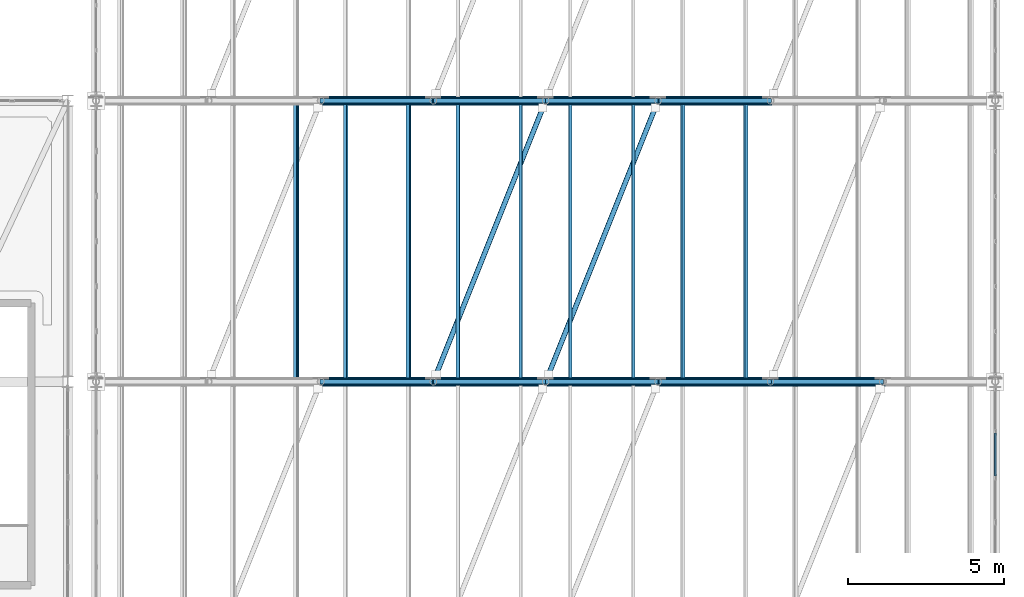
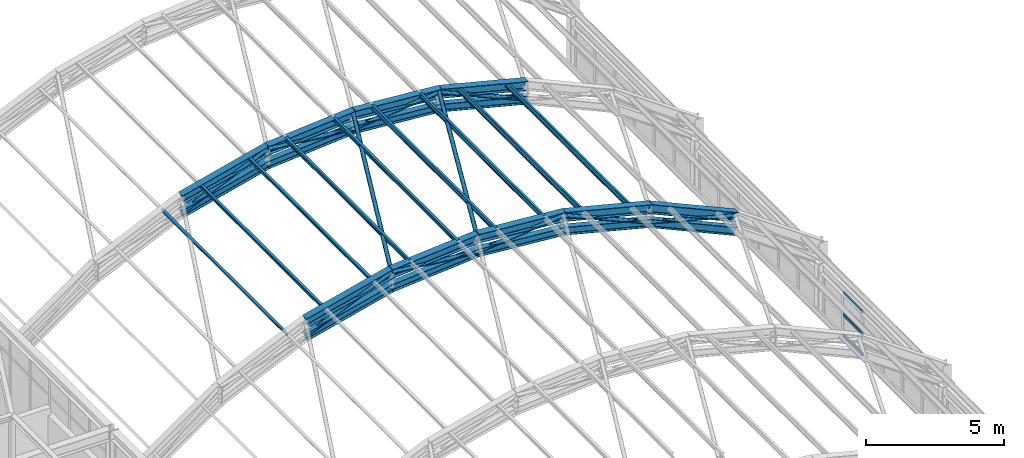
# One storey, part 76 of 121: 32 members, 9 beams, 1 element without a shape of its own.
"""IFC4 building model written with IfcOpenShell, lengths in metres."""

from ifc_helpers import new_model, si_unit, direction, frame, origin, origin_2d, place, context, subcontext, project, spatial, hollow_rectangle, hollow_circle, i_section, extrude, material, material_profile, profile_set, type_object, element, aggregate, save


model = new_model("IFC4")

# Units and contexts
model_context = context("Model", 3, precision=1e-05, world=origin(), true_north=direction((0.0, 1.0)))
body_context = subcontext(model_context, "Body", "Model", "MODEL_VIEW")
ifc_project = project(units=[si_unit("LENGTHUNIT", "METRE"), si_unit("AREAUNIT", "SQUARE_METRE"), si_unit("VOLUMEUNIT", "CUBIC_METRE"), si_unit("PLANEANGLEUNIT", "RADIAN"), si_unit("MASSUNIT", "GRAM", prefix="KILO")], contexts=[model_context])

# Site, building, storey
site_placement = place(None, origin())
site = spatial("IfcSite", under=ifc_project, at=site_placement, CompositionType="ELEMENT")
building_placement = place(site_placement, origin())
building = spatial("IfcBuilding", under=site, at=building_placement, Name="Canglan Escarpment Cableway Terminal", CompositionType="ELEMENT")
storey_placement = place(building_placement, frame((0.0, 0.0, 24.60009765625)))
storey = spatial("IfcBuildingStorey", under=building, at=storey_placement, Name="L05", CompositionType="ELEMENT", Elevation=24.60009765625)

# Beams
ifc_material_1 = material(Name="Steel Q355B", Category="steel")
ifc_material_profile_1 = material_profile(ifc_material_1, i_section(OverallWidth=0.300048828125, OverallDepth=0.389892578125, WebThickness=0.010009765625, FlangeThickness=0.01611328125, FilletRadius=0.02197265625, at=origin_2d()), Name="HM 390x300x10x16")
ifc_profile_set_1 = profile_set([ifc_material_profile_1], Name="Steel Q355B")
beam_type = type_object("IfcBeamType", Name="BM-ARCH-TOP-HM390", PredefinedType="BEAM", material=ifc_profile_set_1)
beam_1_placement = place(storey_placement, frame((144.800048828125, 106.0, 7.23828125), z_axis=(0.969179969731, 0.0, 0.246353782743), x_axis=(0.0, 1.0, 0.0)))
element("IfcBeam", 1, at=beam_1_placement, inside=storey, type_object=beam_type, Name="Vault ROOF TRUSS arch top chord AR-TC1", PredefinedType="BEAM", context=body_context, shape_type="SweptSolid", body=[
    extrude(i_section(OverallWidth=0.300048828125, OverallDepth=0.389892578125, WebThickness=0.010009765625, FlangeThickness=0.01611328125, FilletRadius=0.02197265625, at=origin_2d()), origin(), (0.0, 0.0, 1.0), 3.71435546875),
])
for number, where, z_axis, x_axis, name in (
    (2, (148.39990234375, 106.0, 8.1533203125), (0.996622699984, 0.0, 0.082116952426), (0.0, 1.0, 0.0), "Vault ROOF TRUSS arch top chord AR-TC1"),
    (3, (152.0, 106.0, 8.449951171875), (0.996622699984, 0.0, -0.082116952426), (0.0, 1.0, 0.0), "Vault ROOF TRUSS arch top chord AR-TC1"),
):
    element("IfcBeam", number, at=place(storey_placement, frame(where, z_axis=z_axis, x_axis=x_axis)), inside=storey, type_object=beam_type, Name=name, PredefinedType="BEAM", context=body_context, shape_type="SweptSolid", body=[
        extrude(i_section(OverallWidth=0.300048828125, OverallDepth=0.389892578125, WebThickness=0.010009765625, FlangeThickness=0.01611328125, FilletRadius=0.02197265625, at=origin_2d()), origin(), (0.0, 0.0, 1.0), 3.6123046875),
    ])
beam_2_placement = place(storey_placement, frame((155.60009765625, 106.0, 8.1533203125), z_axis=(0.969179969731, 0.0, -0.246353782743), x_axis=(0.0, 1.0, 0.0)))
element("IfcBeam", 4, at=beam_2_placement, inside=storey, type_object=beam_type, Name="Vault ROOF TRUSS arch top chord AR-TC1", PredefinedType="BEAM", context=body_context, shape_type="SweptSolid", body=[
    extrude(i_section(OverallWidth=0.300048828125, OverallDepth=0.389892578125, WebThickness=0.010009765625, FlangeThickness=0.01611328125, FilletRadius=0.02197265625, at=origin_2d()), origin(), (0.0, 0.0, 1.0), 3.71435546875),
])
beam_3_placement = place(storey_placement, frame((159.199951171875, 106.0, 7.23828125), z_axis=(0.911752518833, 0.0, -0.410739996108), x_axis=(0.0, 1.0, 0.0)))
element("IfcBeam", 5, at=beam_3_placement, inside=storey, type_object=beam_type, Name="Vault ROOF TRUSS arch top chord AR-TC1", PredefinedType="BEAM", context=body_context, shape_type="SweptSolid", body=[
    extrude(i_section(OverallWidth=0.300048828125, OverallDepth=0.389892578125, WebThickness=0.010009765625, FlangeThickness=0.01611328125, FilletRadius=0.02197265625, at=origin_2d()), origin(), (0.0, 0.0, 1.0), 3.948486328125),
])
beam_4_placement = place(storey_placement, frame((144.800048828125, 115.0, 7.23828125), z_axis=(0.969179969731, 0.0, 0.246353782743), x_axis=(0.0, 1.0, 0.0)))
element("IfcBeam", 6, at=beam_4_placement, inside=storey, type_object=beam_type, Name="Vault ROOF TRUSS arch top chord AR-TC1", PredefinedType="BEAM", context=body_context, shape_type="SweptSolid", body=[
    extrude(i_section(OverallWidth=0.300048828125, OverallDepth=0.389892578125, WebThickness=0.010009765625, FlangeThickness=0.01611328125, FilletRadius=0.02197265625, at=origin_2d()), origin(), (0.0, 0.0, 1.0), 3.71435546875),
])
for number, where, z_axis, x_axis, name in (
    (7, (148.39990234375, 115.0, 8.1533203125), (0.996622699984, 0.0, 0.082116952426), (0.0, 1.0, 0.0), "Vault ROOF TRUSS arch top chord AR-TC1"),
    (8, (152.0, 115.0, 8.449951171875), (0.996622699984, 0.0, -0.082116952426), (0.0, 1.0, 0.0), "Vault ROOF TRUSS arch top chord AR-TC1"),
):
    element("IfcBeam", number, at=place(storey_placement, frame(where, z_axis=z_axis, x_axis=x_axis)), inside=storey, type_object=beam_type, Name=name, PredefinedType="BEAM", context=body_context, shape_type="SweptSolid", body=[
        extrude(i_section(OverallWidth=0.300048828125, OverallDepth=0.389892578125, WebThickness=0.010009765625, FlangeThickness=0.01611328125, FilletRadius=0.02197265625, at=origin_2d()), origin(), (0.0, 0.0, 1.0), 3.6123046875),
    ])
beam_5_placement = place(storey_placement, frame((155.60009765625, 115.0, 8.1533203125), z_axis=(0.969179969731, 0.0, -0.246353782743), x_axis=(0.0, 1.0, 0.0)))
element("IfcBeam", 9, at=beam_5_placement, inside=storey, type_object=beam_type, Name="Vault ROOF TRUSS arch top chord AR-TC1", PredefinedType="BEAM", context=body_context, shape_type="SweptSolid", body=[
    extrude(i_section(OverallWidth=0.300048828125, OverallDepth=0.389892578125, WebThickness=0.010009765625, FlangeThickness=0.01611328125, FilletRadius=0.02197265625, at=origin_2d()), origin(), (0.0, 0.0, 1.0), 3.71435546875),
])

# Curtain wall, members
ifc_material_2 = material(Name="Anodized bronze aluminium and Low-E double glazing", Category="aluminium")
curtain_wall_type = type_object("IfcCurtainWallType", Name="CW-BAY-8650x1950", PredefinedType="NOTDEFINED", material=ifc_material_2)
curtain_wall_placement = place(storey_placement, origin())
curtain_wall = element("IfcCurtainWall", 10, at=curtain_wall_placement, inside=storey, type_object=curtain_wall_type, Name="Classical bay-between-piers glazed curtain wall CW-66", PredefinedType="NOTDEFINED")
ifc_material_3 = material(Name="Thermally broken anodized aluminium 6063-T6", Category="aluminium")
ifc_material_profile_2 = material_profile(ifc_material_3, hollow_rectangle(XDim=0.06494140625, YDim=0.139892578125, WallThickness=0.00341796875, InnerFilletRadius=0.00341796875, OuterFilletRadius=0.007080078125, at=origin_2d()), Name="ALU-TRAN 65x140x3.5")
ifc_profile_set_2 = profile_set([ifc_material_profile_2], Name="Thermally broken anodized aluminium 6063-T6")
member_type_1 = type_object("IfcMemberType", Name="CWT-03", PredefinedType="USERDEFINED", material=ifc_profile_set_2)
member_1_placement = place(storey_placement, frame((166.39990234375, 102.97412109375, 0.032470703125), z_axis=(0.0, 1.0, 0.0), x_axis=(-1.0, 0.0, 0.0)))
member_1 = element("IfcMember", 11, at=member_1_placement, type_object=member_type_1, Name="CW-66 transom 5.1", ObjectType="TRANSOM", PredefinedType="USERDEFINED", context=body_context, shape_type="SweptSolid", body=[
    extrude(hollow_rectangle(XDim=0.06494140625, YDim=0.139892578125, WallThickness=0.00341796875, InnerFilletRadius=0.00341796875, OuterFilletRadius=0.007080078125, at=origin_2d()), origin(), (0.0, 0.0, 1.0), 1.376708984375),
])
member_2_placement = place(storey_placement, frame((166.39990234375, 102.97412109375, 0.974853515625), z_axis=(0.0, 1.0, 0.0), x_axis=(-1.0, 0.0, 0.0)))
member_2 = element("IfcMember", 12, at=member_2_placement, type_object=member_type_1, Name="CW-66 transom 5.2", ObjectType="TRANSOM", PredefinedType="USERDEFINED", context=body_context, shape_type="SweptSolid", body=[
    extrude(hollow_rectangle(XDim=0.06494140625, YDim=0.139892578125, WallThickness=0.00341796875, InnerFilletRadius=0.00341796875, OuterFilletRadius=0.007080078125, at=origin_2d()), origin(), (0.0, 0.0, 1.0), 1.376708984375),
])
member_3_placement = place(storey_placement, frame((166.39990234375, 102.97412109375, 1.91748046875), z_axis=(0.0, 1.0, 0.0), x_axis=(-1.0, 0.0, 0.0)))
member_3 = element("IfcMember", 13, at=member_3_placement, type_object=member_type_1, Name="CW-66 transom 5.3", ObjectType="TRANSOM", PredefinedType="USERDEFINED", context=body_context, shape_type="SweptSolid", body=[
    extrude(hollow_rectangle(XDim=0.06494140625, YDim=0.139892578125, WallThickness=0.00341796875, InnerFilletRadius=0.00341796875, OuterFilletRadius=0.007080078125, at=origin_2d()), origin(), (0.0, 0.0, 1.0), 1.376708984375),
])
aggregate(curtain_wall, [member_1, member_2, member_3])

# Members
ifc_material_profile_3 = material_profile(ifc_material_1, i_section(OverallWidth=0.25, OverallDepth=0.340087890625, WebThickness=0.009033203125, FlangeThickness=0.013916015625, FilletRadius=0.02001953125, at=origin_2d()), Name="HM 340x250x9x14")
ifc_profile_set_3 = profile_set([ifc_material_profile_3], Name="Steel Q355B")
member_type_2 = type_object("IfcMemberType", Name="MB-ARCH-BOT-HM340", PredefinedType="CHORD", material=ifc_profile_set_3)
member_4_placement = place(storey_placement, frame((144.800048828125, 106.0, 6.58837890625), z_axis=(0.969179969731, 0.0, 0.246353782743), x_axis=(0.0, 1.0, 0.0)))
element("IfcMember", 14, at=member_4_placement, inside=storey, type_object=member_type_2, Name="Vault ROOF TRUSS arch bottom chord AR-BC1", PredefinedType="CHORD", context=body_context, shape_type="SweptSolid", body=[
    extrude(i_section(OverallWidth=0.25, OverallDepth=0.340087890625, WebThickness=0.009033203125, FlangeThickness=0.013916015625, FilletRadius=0.02001953125, at=origin_2d()), origin(), (0.0, 0.0, 1.0), 3.71435546875),
])
for number, where, z_axis, x_axis, name in (
    (15, (148.39990234375, 106.0, 7.50341796875), (0.996628228964, 0.0, 0.082049821644), (0.0, 1.0, 0.0), "Vault ROOF TRUSS arch bottom chord AR-BC1"),
    (16, (152.0, 106.0, 7.7998046875), (0.996628228964, 0.0, -0.082049821644), (0.0, 1.0, 0.0), "Vault ROOF TRUSS arch bottom chord AR-BC1"),
):
    element("IfcMember", number, at=place(storey_placement, frame(where, z_axis=z_axis, x_axis=x_axis)), inside=storey, type_object=member_type_2, Name=name, PredefinedType="CHORD", context=body_context, shape_type="SweptSolid", body=[
        extrude(i_section(OverallWidth=0.25, OverallDepth=0.340087890625, WebThickness=0.009033203125, FlangeThickness=0.013916015625, FilletRadius=0.02001953125, at=origin_2d()), origin(), (0.0, 0.0, 1.0), 3.6123046875),
    ])
member_5_placement = place(storey_placement, frame((155.60009765625, 106.0, 7.50341796875), z_axis=(0.969179969731, 0.0, -0.246353782743), x_axis=(0.0, 1.0, 0.0)))
element("IfcMember", 17, at=member_5_placement, inside=storey, type_object=member_type_2, Name="Vault ROOF TRUSS arch bottom chord AR-BC1", PredefinedType="CHORD", context=body_context, shape_type="SweptSolid", body=[
    extrude(i_section(OverallWidth=0.25, OverallDepth=0.340087890625, WebThickness=0.009033203125, FlangeThickness=0.013916015625, FilletRadius=0.02001953125, at=origin_2d()), origin(), (0.0, 0.0, 1.0), 3.71435546875),
])
member_6_placement = place(storey_placement, frame((159.199951171875, 106.0, 6.58837890625), z_axis=(0.911752518833, 0.0, -0.410739996108), x_axis=(0.0, 1.0, 0.0)))
element("IfcMember", 18, at=member_6_placement, inside=storey, type_object=member_type_2, Name="Vault ROOF TRUSS arch bottom chord AR-BC1", PredefinedType="CHORD", context=body_context, shape_type="SweptSolid", body=[
    extrude(i_section(OverallWidth=0.25, OverallDepth=0.340087890625, WebThickness=0.009033203125, FlangeThickness=0.013916015625, FilletRadius=0.02001953125, at=origin_2d()), origin(), (0.0, 0.0, 1.0), 3.948486328125),
])
member_7_placement = place(storey_placement, frame((144.800048828125, 115.0, 6.58837890625), z_axis=(0.969179969731, 0.0, 0.246353782743), x_axis=(0.0, 1.0, 0.0)))
element("IfcMember", 19, at=member_7_placement, inside=storey, type_object=member_type_2, Name="Vault ROOF TRUSS arch bottom chord AR-BC1", PredefinedType="CHORD", context=body_context, shape_type="SweptSolid", body=[
    extrude(i_section(OverallWidth=0.25, OverallDepth=0.340087890625, WebThickness=0.009033203125, FlangeThickness=0.013916015625, FilletRadius=0.02001953125, at=origin_2d()), origin(), (0.0, 0.0, 1.0), 3.71435546875),
])
for number, where, z_axis, x_axis, name in (
    (20, (148.39990234375, 115.0, 7.50341796875), (0.996628228964, 0.0, 0.082049821644), (0.0, 1.0, 0.0), "Vault ROOF TRUSS arch bottom chord AR-BC1"),
    (21, (152.0, 115.0, 7.7998046875), (0.996628228964, 0.0, -0.082049821644), (0.0, 1.0, 0.0), "Vault ROOF TRUSS arch bottom chord AR-BC1"),
):
    element("IfcMember", number, at=place(storey_placement, frame(where, z_axis=z_axis, x_axis=x_axis)), inside=storey, type_object=member_type_2, Name=name, PredefinedType="CHORD", context=body_context, shape_type="SweptSolid", body=[
        extrude(i_section(OverallWidth=0.25, OverallDepth=0.340087890625, WebThickness=0.009033203125, FlangeThickness=0.013916015625, FilletRadius=0.02001953125, at=origin_2d()), origin(), (0.0, 0.0, 1.0), 3.6123046875),
    ])
member_8_placement = place(storey_placement, frame((155.60009765625, 115.0, 7.50341796875), z_axis=(0.969179969731, 0.0, -0.246353782743), x_axis=(0.0, 1.0, 0.0)))
element("IfcMember", 22, at=member_8_placement, inside=storey, type_object=member_type_2, Name="Vault ROOF TRUSS arch bottom chord AR-BC1", PredefinedType="CHORD", context=body_context, shape_type="SweptSolid", body=[
    extrude(i_section(OverallWidth=0.25, OverallDepth=0.340087890625, WebThickness=0.009033203125, FlangeThickness=0.013916015625, FilletRadius=0.02001953125, at=origin_2d()), origin(), (0.0, 0.0, 1.0), 3.71435546875),
])
ifc_material_profile_4 = material_profile(ifc_material_1, hollow_circle(Radius=0.084228515625, WallThickness=0.006103515625, at=origin_2d()), Name="CHS 168.3x6")
ifc_profile_set_4 = profile_set([ifc_material_profile_4], Name="Steel Q355B")
member_type_3 = type_object("IfcMemberType", Name="MB-ARCH-DIAG-CHS168", PredefinedType="BRACE", material=ifc_profile_set_4)
member_9_placement = place(storey_placement, frame((144.800048828125, 106.0, 6.58837890625), z_axis=(0.917089831489, 0.0, 0.398680625286), x_axis=(0.0, 1.0, 0.0)))
element("IfcMember", 23, at=member_9_placement, inside=storey, type_object=member_type_3, Name="Vault ROOF TRUSS web diagonal AR-DG1", PredefinedType="BRACE", context=body_context, shape_type="SweptSolid", body=[
    extrude(hollow_circle(Radius=0.084228515625, WallThickness=0.006103515625, at=origin_2d()), origin(), (0.0, 0.0, 1.0), 3.92529296875),
])
for number, where, z_axis, x_axis, name in (
    (24, (148.39990234375, 106.0, 8.1533203125), (0.995213349609, 0.0, -0.097726090481), (0.0, 1.0, 0.0), "Vault ROOF TRUSS web diagonal AR-DG1"),
    (25, (152.0, 106.0, 7.7998046875), (0.995213349609, 0.0, 0.097726090481), (0.0, 1.0, 0.0), "Vault ROOF TRUSS web diagonal AR-DG1"),
):
    element("IfcMember", number, at=place(storey_placement, frame(where, z_axis=z_axis, x_axis=x_axis)), inside=storey, type_object=member_type_3, Name=name, PredefinedType="BRACE", context=body_context, shape_type="SweptSolid", body=[
        extrude(hollow_circle(Radius=0.084228515625, WallThickness=0.006103515625, at=origin_2d()), origin(), (0.0, 0.0, 1.0), 3.617431640625),
    ])
member_10_placement = place(storey_placement, frame((155.60009765625, 106.0, 8.1533203125), z_axis=(0.917089831489, 0.0, -0.398680625286), x_axis=(0.0, 1.0, 0.0)))
element("IfcMember", 26, at=member_10_placement, inside=storey, type_object=member_type_3, Name="Vault ROOF TRUSS web diagonal AR-DG1", PredefinedType="BRACE", context=body_context, shape_type="SweptSolid", body=[
    extrude(hollow_circle(Radius=0.084228515625, WallThickness=0.006103515625, at=origin_2d()), origin(), (0.0, 0.0, 1.0), 3.92529296875),
])
member_11_placement = place(storey_placement, frame((159.199951171875, 106.0, 6.58837890625), z_axis=(0.96543600217, 0.0, -0.260640222748), x_axis=(0.0, 1.0, 0.0)))
element("IfcMember", 27, at=member_11_placement, inside=storey, type_object=member_type_3, Name="Vault ROOF TRUSS web diagonal AR-DG1", PredefinedType="BRACE", context=body_context, shape_type="SweptSolid", body=[
    extrude(hollow_circle(Radius=0.084228515625, WallThickness=0.006103515625, at=origin_2d()), origin(), (0.0, 0.0, 1.0), 3.72900390625),
])
member_12_placement = place(storey_placement, frame((144.800048828125, 115.0, 6.58837890625), z_axis=(0.917089831489, 0.0, 0.398680625286), x_axis=(0.0, 1.0, 0.0)))
element("IfcMember", 28, at=member_12_placement, inside=storey, type_object=member_type_3, Name="Vault ROOF TRUSS web diagonal AR-DG1", PredefinedType="BRACE", context=body_context, shape_type="SweptSolid", body=[
    extrude(hollow_circle(Radius=0.084228515625, WallThickness=0.006103515625, at=origin_2d()), origin(), (0.0, 0.0, 1.0), 3.92529296875),
])
for number, where, z_axis, x_axis, name in (
    (29, (148.39990234375, 115.0, 8.1533203125), (0.995213349609, 0.0, -0.097726090481), (0.0, 1.0, 0.0), "Vault ROOF TRUSS web diagonal AR-DG1"),
    (30, (152.0, 115.0, 7.7998046875), (0.995213349609, 0.0, 0.097726090481), (0.0, 1.0, 0.0), "Vault ROOF TRUSS web diagonal AR-DG1"),
):
    element("IfcMember", number, at=place(storey_placement, frame(where, z_axis=z_axis, x_axis=x_axis)), inside=storey, type_object=member_type_3, Name=name, PredefinedType="BRACE", context=body_context, shape_type="SweptSolid", body=[
        extrude(hollow_circle(Radius=0.084228515625, WallThickness=0.006103515625, at=origin_2d()), origin(), (0.0, 0.0, 1.0), 3.617431640625),
    ])
member_13_placement = place(storey_placement, frame((155.60009765625, 115.0, 8.1533203125), z_axis=(0.917089831489, 0.0, -0.398680625286), x_axis=(0.0, 1.0, 0.0)))
element("IfcMember", 31, at=member_13_placement, inside=storey, type_object=member_type_3, Name="Vault ROOF TRUSS web diagonal AR-DG1", PredefinedType="BRACE", context=body_context, shape_type="SweptSolid", body=[
    extrude(hollow_circle(Radius=0.084228515625, WallThickness=0.006103515625, at=origin_2d()), origin(), (0.0, 0.0, 1.0), 3.92529296875),
])
ifc_material_profile_5 = material_profile(ifc_material_1, hollow_circle(Radius=0.084228515625, WallThickness=0.006103515625, at=origin_2d()), Name="CHS 168.3x6")
ifc_profile_set_5 = profile_set([ifc_material_profile_5], Name="Steel Q355B")
member_type_4 = type_object("IfcMemberType", Name="MB-ROOF-BR-CHS168", PredefinedType="BRACE", material=ifc_profile_set_5)
for number, where, z_axis, x_axis, name in (
    (32, (148.39990234375, 106.0, 8.1533203125), (0.371225584171, 0.928038785765, 0.030587215839), (-0.928473216852, 0.37139936132, 0.0), "Vault roof plane wind brace BR-03"),
    (33, (152.0, 106.0, 8.449951171875), (0.371225584171, 0.928038785765, -0.030587215839), (-0.928473216852, 0.37139936132, 0.0), "Vault roof plane wind brace BR-03"),
):
    element("IfcMember", number, at=place(storey_placement, frame(where, z_axis=z_axis, x_axis=x_axis)), inside=storey, type_object=member_type_4, Name=name, PredefinedType="BRACE", context=body_context, shape_type="SweptSolid", body=[
        extrude(hollow_circle(Radius=0.084228515625, WallThickness=0.006103515625, at=origin_2d()), origin(), (0.0, 0.0, 1.0), 9.69775390625),
    ])
ifc_material_profile_6 = material_profile(ifc_material_1, i_section(OverallWidth=0.10009765625, OverallDepth=0.199951171875, WebThickness=0.005615234375, FlangeThickness=0.008056640625, FilletRadius=0.010986328125, at=origin_2d()), Name="HN 200x100x5.5x8")
ifc_profile_set_6 = profile_set([ifc_material_profile_6], Name="Steel Q355B")
member_type_5 = type_object("IfcMemberType", Name="MB-VAULT-PUR-HN200", PredefinedType="PURLIN", material=ifc_profile_set_6)
for number, where, z_axis, x_axis, name in (
    (34, (144.008056640625, 106.0, 6.968017578125), (0.0, 1.0, 0.0), (-0.911740537138, 0.0, -0.410766591799), "Barrel-vault roof purlin PR-01"),
    (35, (145.592041015625, 106.0, 7.533203125), (0.0, 1.0, 0.0), (-0.969183633805, 0.0, -0.246339367468), "Barrel-vault roof purlin PR-01"),
    (36, (147.60791015625, 106.0, 8.045654296875), (0.0, 1.0, 0.0), (-0.969183633805, 0.0, -0.246339367468), "Barrel-vault roof purlin PR-01"),
    (37, (149.19189453125, 106.0, 8.315185546875), (0.0, 1.0, 0.0), (-0.996625936329, 0.0, -0.082077664662), "Barrel-vault roof purlin PR-01"),
    (38, (151.2080078125, 106.0, 8.481201171875), (0.0, 1.0, 0.0), (-0.996625936329, 0.0, -0.082077664662), "Barrel-vault roof purlin PR-01"),
    (39, (152.7919921875, 106.0, 8.481201171875), (0.0, 1.0, 0.0), (-0.996625936329, 0.0, 0.082077664662), "Barrel-vault roof purlin PR-01"),
    (40, (154.80810546875, 106.0, 8.315185546875), (0.0, 1.0, 0.0), (-0.996625936329, 0.0, 0.082077664662), "Barrel-vault roof purlin PR-01"),
    (41, (156.39208984375, 106.0, 8.045654296875), (0.0, 1.0, 0.0), (-0.969183633805, 0.0, 0.246339367468), "Barrel-vault roof purlin PR-01"),
    (42, (158.407958984375, 106.0, 7.533203125), (0.0, 1.0, 0.0), (-0.969183633805, 0.0, 0.246339367468), "Barrel-vault roof purlin PR-01"),
):
    element("IfcMember", number, at=place(storey_placement, frame(where, z_axis=z_axis, x_axis=x_axis)), inside=storey, type_object=member_type_5, Name=name, PredefinedType="PURLIN", context=body_context, shape_type="SweptSolid", body=[
        extrude(i_section(OverallWidth=0.10009765625, OverallDepth=0.199951171875, WebThickness=0.005615234375, FlangeThickness=0.008056640625, FilletRadius=0.010986328125, at=origin_2d()), origin(), (0.0, 0.0, 1.0), 9.0),
    ])

save(model, "model.ifc")
